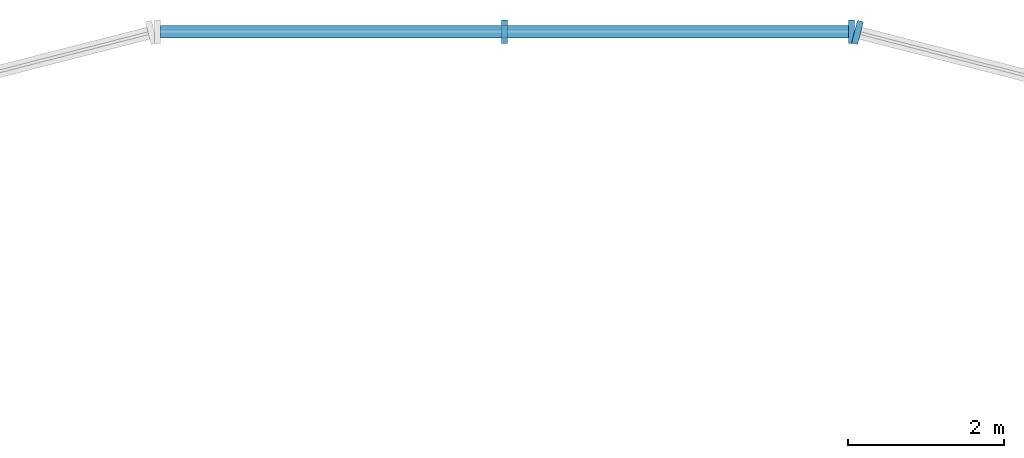
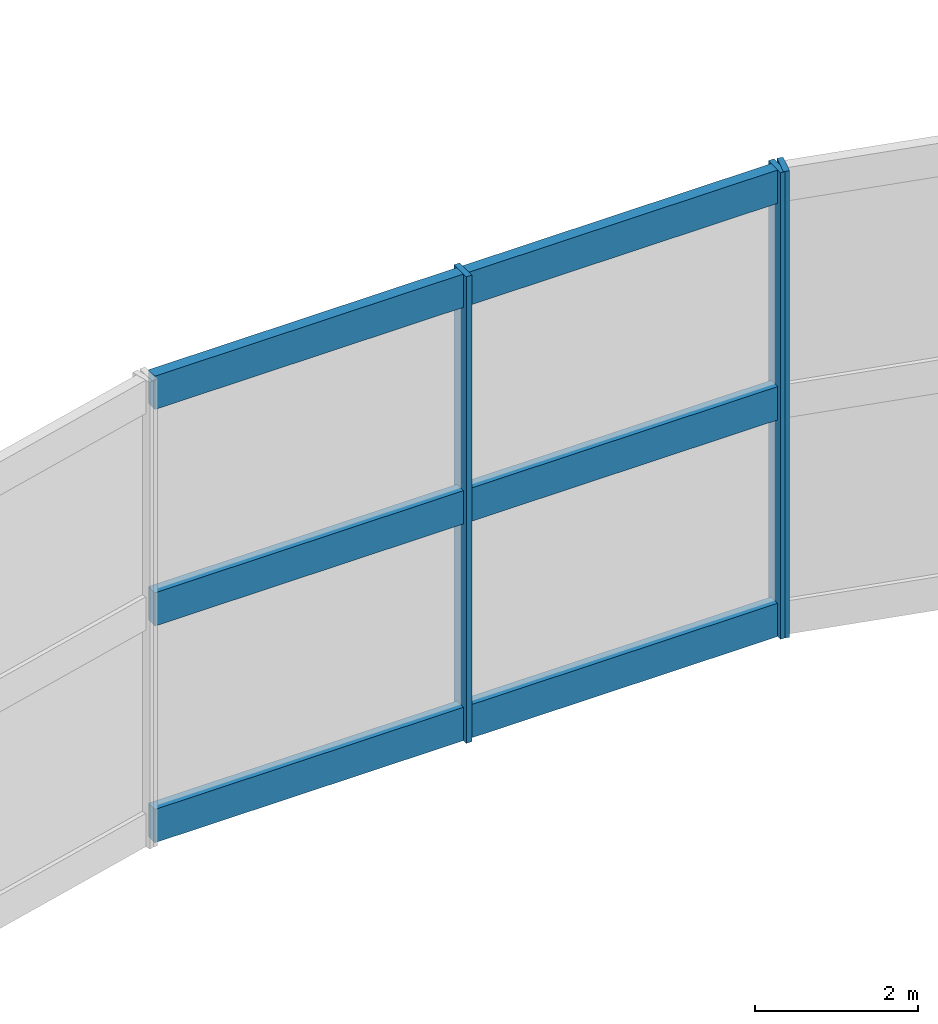
# One storey, part 4 of 19: 6 members, 2 elements without a shape of their own.
"""IFC4 building model written with IfcOpenShell, lengths in metres."""

from ifc_helpers import new_model, si_unit, direction, frame, origin, origin_2d, place, context, subcontext, project, spatial, rectangle, extrude, material, material_profile, profile_set, type_object, element, aggregate, save


model = new_model("IFC4")

# Units and contexts
model_context = context("Model", 3, precision=1e-05, world=origin(), true_north=direction((0.0, 1.0)))
body_context = subcontext(model_context, "Body", "Model", "MODEL_VIEW")
ifc_project = project(units=[si_unit("LENGTHUNIT", "METRE"), si_unit("AREAUNIT", "SQUARE_METRE"), si_unit("VOLUMEUNIT", "CUBIC_METRE"), si_unit("PLANEANGLEUNIT", "RADIAN"), si_unit("MASSUNIT", "GRAM", prefix="KILO")], contexts=[model_context])

# Site, building, storey
site_placement = place(None, origin())
site = spatial("IfcSite", under=ifc_project, at=site_placement, CompositionType="ELEMENT")
building_placement = place(site_placement, origin())
building = spatial("IfcBuilding", under=site, at=building_placement, Name="Marenthal Gate Tower", CompositionType="ELEMENT")
storey_placement = place(building_placement, frame((0.0, 0.0, 12.0)))
storey = spatial("IfcBuildingStorey", under=building, at=storey_placement, Name="L01", CompositionType="ELEMENT", Elevation=12.0)

# Curtain wall, members
ifc_material_1 = material(Name="Aluminium and glass", Category="aluminium")
curtain_wall_type = type_object("IfcCurtainWallType", Name="Curtain wall arch infill", PredefinedType="NOTDEFINED", material=ifc_material_1)
curtain_wall_1_placement = place(storey_placement, origin())
curtain_wall_1 = element("IfcCurtainWall", 1, at=curtain_wall_1_placement, inside=storey, type_object=curtain_wall_type, Name="Curtain wall L01 arch N2", PredefinedType="NOTDEFINED")
ifc_material_2 = material(Name="Aluminium", Category="aluminium")
ifc_material_profile_1 = material_profile(ifc_material_2, rectangle(XDim=0.300048828125, YDim=0.080078125, at=origin_2d()), Name="80x300 aluminium mullion")
ifc_profile_set_1 = profile_set([ifc_material_profile_1], Name="Aluminium")
member_type_1 = type_object("IfcMemberType", Name="Mullion 80x300 arch infill", PredefinedType="MULLION", material=ifc_profile_set_1)
member_1_placement = place(storey_placement, frame((0.0, 29.06103515625, 0.0), z_axis=(0.0, 0.0, 1.0), x_axis=(0.0, 1.0, 0.0)))
member_1 = element("IfcMember", 2, at=member_1_placement, type_object=member_type_1, Name="Mullion L01 arch N2.2", PredefinedType="MULLION", context=body_context, shape_type="SweptSolid", body=[
    extrude(rectangle(XDim=0.300048828125, YDim=0.080078125, at=origin_2d()), origin(), (0.0, 0.0, 1.0), 7.0),
])
member_2_placement = place(storey_placement, frame((4.4599609375, 29.06103515625, 0.0), z_axis=(0.0, 0.0, 1.0), x_axis=(0.0, 1.0, 0.0)))
member_2 = element("IfcMember", 3, at=member_2_placement, type_object=member_type_1, Name="Mullion L01 arch N2.3", PredefinedType="MULLION", context=body_context, shape_type="SweptSolid", body=[
    extrude(rectangle(XDim=0.300048828125, YDim=0.080078125, at=origin_2d()), origin(), (0.0, 0.0, 1.0), 7.0),
])

# Curtain wall, member
curtain_wall_2_placement = place(storey_placement, origin())
curtain_wall_2 = element("IfcCurtainWall", 4, at=curtain_wall_2_placement, inside=storey, type_object=curtain_wall_type, Name="Curtain wall L01 arch N3", PredefinedType="NOTDEFINED")
member_3_placement = place(storey_placement, frame((4.538818359375, 29.051025390625, 0.0), z_axis=(0.0, 0.0, 1.0), x_axis=(0.247965362941, 0.968768898542, 0.0)))
member_3 = element("IfcMember", 5, at=member_3_placement, type_object=member_type_1, Name="Mullion L01 arch N3.1", PredefinedType="MULLION", context=body_context, shape_type="SweptSolid", body=[
    extrude(rectangle(XDim=0.300048828125, YDim=0.080078125, at=origin_2d()), origin(), (0.0, 0.0, 1.0), 7.0),
])
aggregate(curtain_wall_2, [member_3])

# Member
ifc_material_3 = material(Name="Aluminium", Category="aluminium")
ifc_material_profile_2 = material_profile(ifc_material_3, rectangle(XDim=0.159912109375, YDim=0.5, at=origin_2d()), Name="160x500 aluminium transom")
ifc_profile_set_2 = profile_set([ifc_material_profile_2], Name="Aluminium")
member_type_2 = type_object("IfcMemberType", Name="Transom 160x500 arch infill", PredefinedType="USERDEFINED", material=ifc_profile_set_2)
member_4_placement = place(storey_placement, frame((-4.419921875, 29.06103515625, 0.25), z_axis=(1.0, 0.0, 0.0), x_axis=(0.0, 1.0, 0.0)))
member_4 = element("IfcMember", 6, at=member_4_placement, type_object=member_type_2, Name="Transom L01 arch N2.1", ObjectType="TRANSOM", PredefinedType="USERDEFINED", context=body_context, shape_type="SweptSolid", body=[
    extrude(rectangle(XDim=0.159912109375, YDim=0.5, at=origin_2d()), origin(), (0.0, 0.0, 1.0), 8.83984375),
])

member_5_placement = place(storey_placement, frame((-4.419921875, 29.06103515625, 3.5), z_axis=(1.0, 0.0, 0.0), x_axis=(0.0, 1.0, 0.0)))
member_5 = element("IfcMember", 7, at=member_5_placement, type_object=member_type_2, Name="Transom L01 arch N2.2", ObjectType="TRANSOM", PredefinedType="USERDEFINED", context=body_context, shape_type="SweptSolid", body=[
    extrude(rectangle(XDim=0.159912109375, YDim=0.5, at=origin_2d()), origin(), (0.0, 0.0, 1.0), 8.83984375),
])

member_6_placement = place(storey_placement, frame((-4.419921875, 29.06103515625, 6.75), z_axis=(1.0, 0.0, 0.0), x_axis=(0.0, 1.0, 0.0)))
member_6 = element("IfcMember", 8, at=member_6_placement, type_object=member_type_2, Name="Transom L01 arch N2.3", ObjectType="TRANSOM", PredefinedType="USERDEFINED", context=body_context, shape_type="SweptSolid", body=[
    extrude(rectangle(XDim=0.159912109375, YDim=0.5, at=origin_2d()), origin(), (0.0, 0.0, 1.0), 8.83984375),
])

aggregate(curtain_wall_1, [member_1, member_2, member_4, member_5, member_6])

save(model, "model.ifc")
